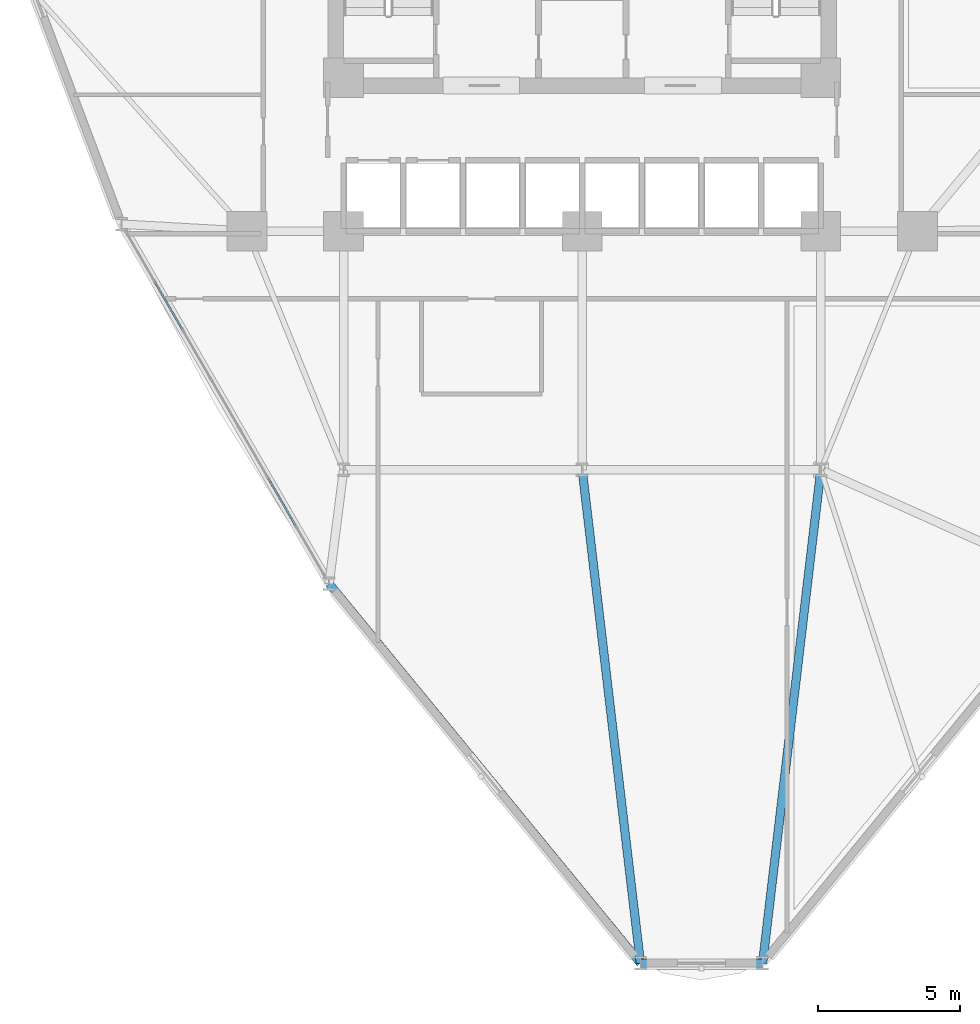
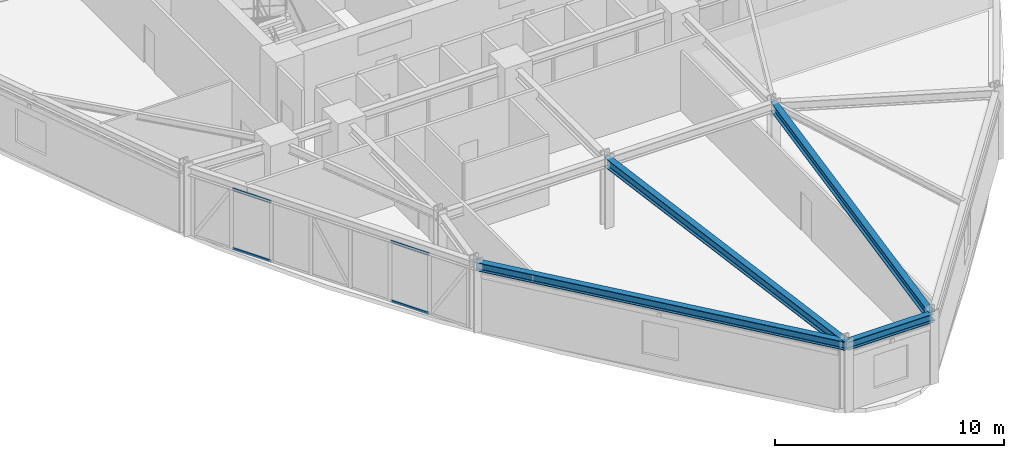
# One storey, part 3 of 20: 4 beams, 4 members, 1 element without a shape of its own.
"""IFC4 building model written with IfcOpenShell, lengths in metres."""

from ifc_helpers import new_model, si_unit, derived_unit, direction, frame, origin, origin_2d, place, context, subcontext, project, spatial, hollow_rectangle, i_section, extrude, source, transform, mapped, material, layer, layer_set, material_profile, profile_set, type_object, element, aggregate, save


model = new_model("IFC4")

# Units and contexts
model_context = context("Model", 3, precision=1e-05, world=origin(), true_north=direction((0.0, 1.0)))
body_context = subcontext(model_context, "Body", "Model", "MODEL_VIEW")
ifc_project = project(units=[si_unit("LENGTHUNIT", "METRE"), si_unit("AREAUNIT", "SQUARE_METRE"), si_unit("VOLUMEUNIT", "CUBIC_METRE"), si_unit("PLANEANGLEUNIT", "RADIAN"), si_unit("MASSUNIT", "GRAM", prefix="KILO"), derived_unit("THERMALTRANSMITTANCEUNIT", [(si_unit("POWERUNIT", "WATT"), 1), (si_unit("LENGTHUNIT", "METRE"), -2), (si_unit("THERMODYNAMICTEMPERATUREUNIT", "KELVIN"), -1)])], contexts=[model_context])

# Site, building, storey
site_placement = place(None, origin())
site = spatial("IfcSite", under=ifc_project, at=site_placement, CompositionType="ELEMENT")
building_placement = place(site_placement, origin())
building = spatial("IfcBuilding", under=site, at=building_placement, Name="Korsvarv Bourse and Concert Hall", CompositionType="ELEMENT")
storey_placement = place(building_placement, frame((0.0, 0.0, 87.300048828125)))
storey = spatial("IfcBuildingStorey", under=building, at=storey_placement, Name="L21", CompositionType="ELEMENT", Elevation=87.300048828125)

# Beams
ifc_material_1 = material(Name="Steel S355", Category="steel")
ifc_material_profile_1 = material_profile(ifc_material_1, i_section(OverallWidth=0.300048828125, OverallDepth=0.449951171875, WebThickness=0.013916015625, FlangeThickness=0.02587890625, FilletRadius=0.02099609375, at=origin_2d()), Name="HEB 450")
ifc_profile_set_1 = profile_set([ifc_material_profile_1], Name="Steel S355")
beam_type_1 = type_object("IfcBeamType", Name="BM-HEB450", PredefinedType="SPANDREL", material=ifc_profile_set_1)
shared_shape_1 = source(origin(), body_context, "Body", "SweptSolid", [
    extrude(i_section(OverallWidth=0.300048828125, OverallDepth=0.449951171875, WebThickness=0.013916015625, FlangeThickness=0.02587890625, FilletRadius=0.02099609375, at=origin_2d()), origin(), (0.0, 0.0, 1.0), 4.301025390625),
])
beam_1_placement = place(storey_placement, frame((38.049560546875, 6.63623046875, 3.454833984375), z_axis=(1.0, 0.0, 0.0), x_axis=(0.0, 1.0, 0.0)))
element("IfcBeam", 1, at=beam_1_placement, inside=storey, type_object=beam_type_1, Name="L21 beam B-08", PredefinedType="SPANDREL", context=body_context, shape_type="MappedRepresentation", body=[
    mapped(shared_shape_1, transform((0.0, 0.0, 0.0), scale=1.0)),
])
shared_shape_2 = source(origin(), body_context, "Body", "SweptSolid", [
    extrude(i_section(OverallWidth=0.300048828125, OverallDepth=0.449951171875, WebThickness=0.013916015625, FlangeThickness=0.02587890625, FilletRadius=0.02099609375, at=origin_2d()), origin(), (0.0, 0.0, 1.0), 17.276123046875),
])
beam_2_placement = place(storey_placement, frame((27.090087890625, 19.9912109375, 3.454833984375), z_axis=(0.634369882893, -0.773029657697, 0.0), x_axis=(0.773029657697, 0.634369882893, 0.0)))
element("IfcBeam", 2, at=beam_2_placement, inside=storey, type_object=beam_type_1, Name="L21 beam B-08", PredefinedType="SPANDREL", context=body_context, shape_type="MappedRepresentation", body=[
    mapped(shared_shape_2, transform((0.0, 0.0, 0.0), scale=1.0)),
])
ifc_material_profile_2 = material_profile(ifc_material_1, i_section(OverallWidth=0.300048828125, OverallDepth=0.5, WebThickness=0.014404296875, FlangeThickness=0.028076171875, FilletRadius=0.02392578125, at=origin_2d()), Name="HEB 500")
ifc_profile_set_2 = profile_set([ifc_material_profile_2], Name="Steel S355")
beam_type_2 = type_object("IfcBeamType", Name="BM-HEB500", PredefinedType="BEAM", material=ifc_profile_set_2)
shared_shape_3 = source(origin(), body_context, "Body", "SweptSolid", [
    extrude(i_section(OverallWidth=0.300048828125, OverallDepth=0.5, WebThickness=0.014404296875, FlangeThickness=0.028076171875, FilletRadius=0.02392578125, at=origin_2d()), origin(), (0.0, 0.0, 1.0), 17.484375),
])
for number, where, z_axis, x_axis, name in (
    (3, (38.049560546875, 6.63623046875, 3.429931640625), (-0.117222826052, 0.993105638415, 0.0), (-0.993105638415, -0.117222826052, 0.0), "L21 beam B-07"),
    (4, (42.3505859375, 6.63623046875, 3.429931640625), (0.117209054483, 0.993107263868, 0.0), (-0.993107263868, 0.117209054483, 0.0), "L21 beam B-07"),
):
    element("IfcBeam", number, at=place(storey_placement, frame(where, z_axis=z_axis, x_axis=x_axis)), inside=storey, type_object=beam_type_2, Name=name, PredefinedType="BEAM", context=body_context, shape_type="MappedRepresentation", body=[
        mapped(shared_shape_3, transform((0.0, 0.0, 0.0), scale=1.0)),
    ])

# Curtain wall, members
ifc_material_2 = material(Name="Anodised aluminium and triple low-E glazing", Category="glass")
ifc_layer = layer(ifc_material_2, 0.219970703125)
ifc_layer_set = layer_set([ifc_layer], Name="Anodised aluminium and triple low-E glazing")
curtain_wall_type = type_object("IfcCurtainWallType", Name="CW-SYS-1", PredefinedType="NOTDEFINED", material=ifc_layer_set)
curtain_wall_placement = place(storey_placement, origin())
curtain_wall = element("IfcCurtainWall", 5, at=curtain_wall_placement, inside=storey, type_object=curtain_wall_type, Name="L21 CW1 curtain wall CW-L21-F07", PredefinedType="NOTDEFINED")
ifc_material_3 = material(Name="Extruded aluminium EN AW-6063 T66", Category="aluminium")
ifc_material_profile_3 = material_profile(ifc_material_3, hollow_rectangle(XDim=0.06494140625, YDim=0.139892578125, WallThickness=0.00390625, at=origin_2d()), Name="ALU-T 65x140")
ifc_profile_set_3 = profile_set([ifc_material_profile_3], Name="Extruded aluminium EN AW-6063 T66")
member_type = type_object("IfcMemberType", Name="CWT-140", PredefinedType="USERDEFINED", material=ifc_profile_set_3)
shared_shape_4 = source(origin(), body_context, "Body", "SweptSolid", [
    extrude(hollow_rectangle(XDim=0.06494140625, YDim=0.139892578125, WallThickness=0.00390625, at=origin_2d()), origin(), (0.0, 0.0, 1.0), 1.923583984375),
])
member_1_placement = place(storey_placement, frame((20.961181640625, 30.607177734375, 0.032470703125), z_axis=(0.499920208923, -0.866071466283, 0.0), x_axis=(0.866071466283, 0.499920208923, 0.0)))
member_1 = element("IfcMember", 6, at=member_1_placement, type_object=member_type, Name="CW1 transom 2.1", ObjectType="TRANSOM", PredefinedType="USERDEFINED", context=body_context, shape_type="MappedRepresentation", body=[
    mapped(shared_shape_4, transform((0.0, 0.0, 0.0), scale=1.0)),
])
member_2_placement = place(storey_placement, frame((20.961181640625, 30.607177734375, 3.197509765625), z_axis=(0.499920208923, -0.866071466283, 0.0), x_axis=(0.866071466283, 0.499920208923, 0.0)))
member_2 = element("IfcMember", 7, at=member_2_placement, type_object=member_type, Name="CW1 transom 2.2", ObjectType="TRANSOM", PredefinedType="USERDEFINED", context=body_context, shape_type="MappedRepresentation", body=[
    mapped(shared_shape_4, transform((0.0, 0.0, 0.0), scale=1.0)),
])
member_3_placement = place(storey_placement, frame((24.9482421875, 23.700927734375, 0.032470703125), z_axis=(0.500070355328, -0.865984780306, 0.0), x_axis=(0.865984780306, 0.500070355328, 0.0)))
member_3 = element("IfcMember", 8, at=member_3_placement, type_object=member_type, Name="CW1 transom 6.1", ObjectType="TRANSOM", PredefinedType="USERDEFINED", context=body_context, shape_type="MappedRepresentation", body=[
    mapped(shared_shape_4, transform((0.0, 0.0, 0.0), scale=1.0)),
])
member_4_placement = place(storey_placement, frame((24.9482421875, 23.700927734375, 3.197509765625), z_axis=(0.500070355328, -0.865984780306, 0.0), x_axis=(0.865984780306, 0.500070355328, 0.0)))
member_4 = element("IfcMember", 9, at=member_4_placement, type_object=member_type, Name="CW1 transom 6.2", ObjectType="TRANSOM", PredefinedType="USERDEFINED", context=body_context, shape_type="MappedRepresentation", body=[
    mapped(shared_shape_4, transform((0.0, 0.0, 0.0), scale=1.0)),
])
aggregate(curtain_wall, [member_1, member_2, member_3, member_4])

save(model, "model.ifc")
